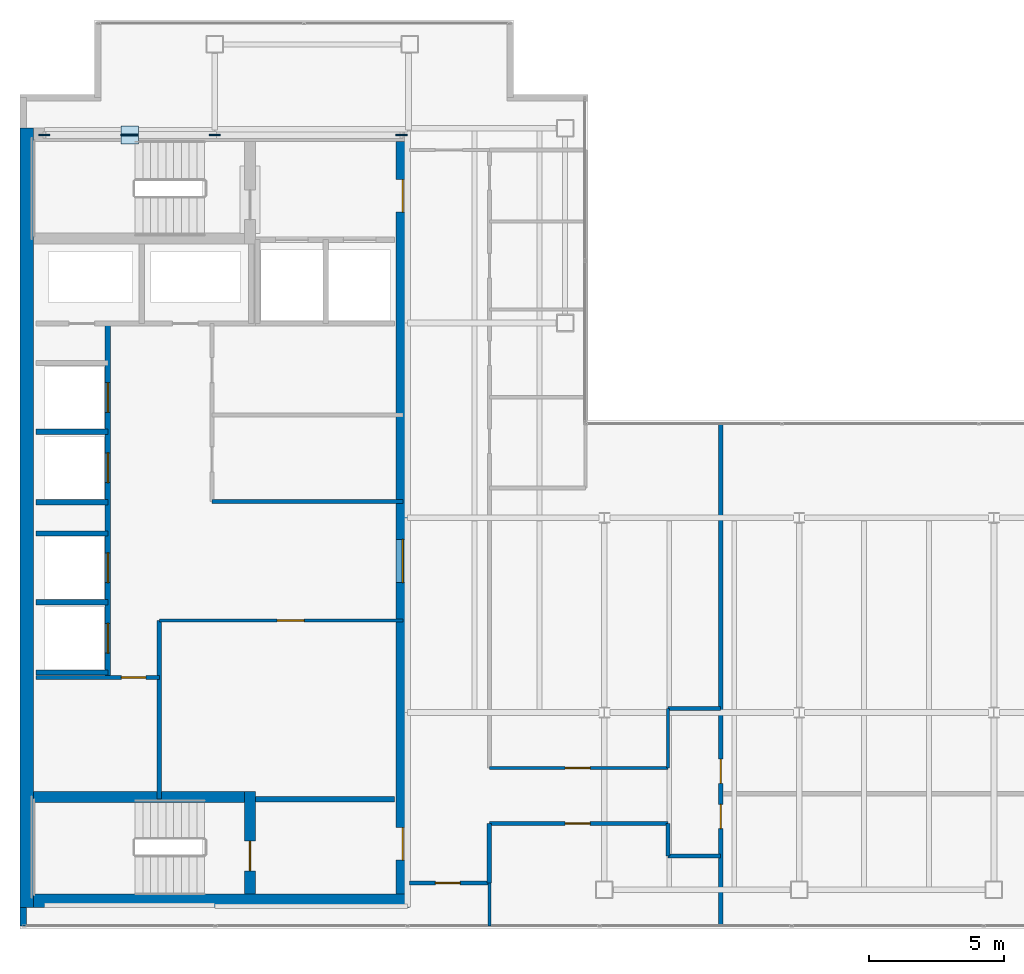
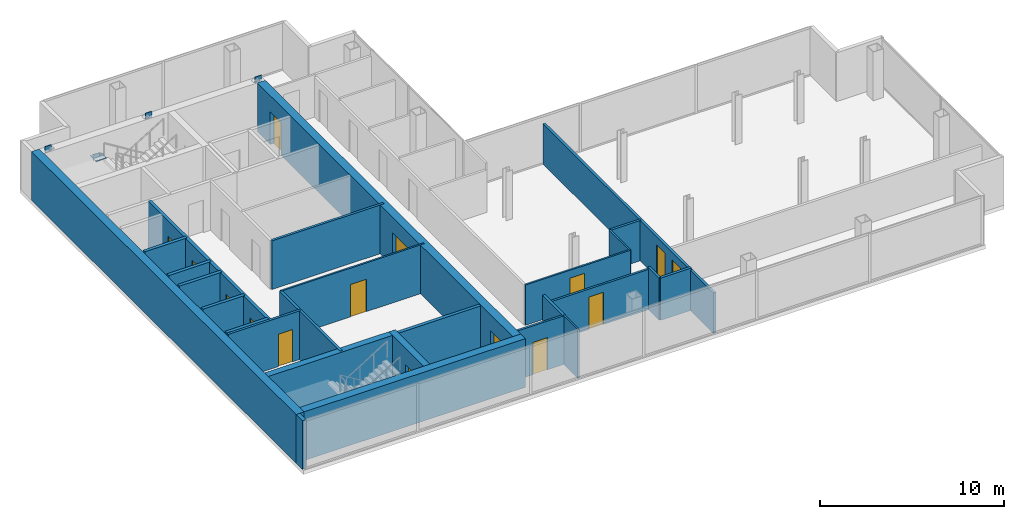
# One storey, part 21 of 24: 27 walls, 15 doors, 6 plates, 15 openings.
"""IFC4 building model written with IfcOpenShell, lengths in metres."""

from ifc_helpers import new_model, si_unit, direction, frame, frame_2d, origin, origin_2d, place, context, subcontext, project, spatial, rectangle, extrude, material, layer, layer_set, type_object, element, fill, save


model = new_model("IFC4")

# Units and contexts
model_context = context("Model", 3, precision=1e-05, world=origin(), true_north=direction((0.0, 1.0)))
body_context = subcontext(model_context, "Body", "Model", "MODEL_VIEW")
ifc_project = project(units=[si_unit("LENGTHUNIT", "METRE"), si_unit("AREAUNIT", "SQUARE_METRE"), si_unit("VOLUMEUNIT", "CUBIC_METRE"), si_unit("PLANEANGLEUNIT", "RADIAN"), si_unit("MASSUNIT", "GRAM", prefix="KILO")], contexts=[model_context])

# Site, building, storey
site_placement = place(None, origin())
site = spatial("IfcSite", under=ifc_project, at=site_placement, CompositionType="ELEMENT")
building_placement = place(site_placement, origin())
building = spatial("IfcBuilding", under=site, at=building_placement, Name="Cobrela Telecom Tower", CompositionType="ELEMENT")
storey_placement = place(building_placement, frame((0.0, 0.0, 244.64990234375)))
storey = spatial("IfcBuildingStorey", under=building, at=storey_placement, Name="L63", CompositionType="ELEMENT", Elevation=244.64990234375)

# Plates
ifc_material_1 = material(Name="Steel ASTM A572 Grade 50", Category="steel")
ifc_layer_1 = layer(ifc_material_1, 0.0419921875)
ifc_layer_set_1 = layer_set([ifc_layer_1], Name="Steel ASTM A572 Grade 50")
plate_type = type_object("IfcPlateType", Name="PLT-NODE-ND1", PredefinedType="USERDEFINED", material=ifc_layer_set_1)
for number, where, z_axis, x_axis, name in (
    (1, (7.199951171875, 35.75, 3.0751953125), (0.0, 0.0, 1.0), (1.0, 0.0, 0.0), "Steel node plate PLT-MBR-EXO-L63-N1-A-1"),
    (2, (4.173828125, 35.75, 1.349609375), (0.0, 0.0, 1.0), (-1.0, 0.0, 0.0), "Steel node plate PLT-MBR-EXO-L63-N1-B1-1"),
    (3, (3.926025390625, 35.75, 1.48046875), (0.0, 0.0, 1.0), (-1.0, 0.0, 0.0), "Steel node plate PLT-MBR-EXO-L63-N1-B2-0"),
    (4, (0.89990234375, 35.75, 3.0751953125), (0.0, 0.0, 1.0), (-1.0, 0.0, 0.0), "Steel node plate PLT-MBR-EXO-L63-N1-B2-1"),
):
    element("IfcPlate", number, at=place(storey_placement, frame(where, z_axis=z_axis, x_axis=x_axis)), inside=storey, type_object=plate_type, Name=name, ObjectType="GUSSET PLATE", PredefinedType="USERDEFINED", context=body_context, shape_type="SweptSolid", body=[
        extrude(rectangle(XDim=0.409912109375, YDim=0.044921875, at=origin_2d()), origin(), (0.0, 0.0, 1.0), 0.409912109375),
    ])
plate_1_placement = place(storey_placement, frame((4.050048828125, 35.75, 1.59765625), z_axis=(0.0, 0.0, 1.0), x_axis=(1.0, 0.0, 0.0)))
element("IfcPlate", 5, at=plate_1_placement, inside=storey, type_object=plate_type, Name="L63 Core Flange Steel X-Brace Central X-Crossing Gusset Plate", ObjectType="GUSSET PLATE", PredefinedType="USERDEFINED", context=body_context, shape_type="SweptSolid", body=[
    extrude(rectangle(XDim=0.64990234375, YDim=0.64990234375, at=origin_2d()), origin(), (0.0, 0.0, 1.0), 0.044921875),
])
plate_2_placement = place(storey_placement, frame((14.10009765625, 35.75, 3.0751953125), z_axis=(0.0, 0.0, 1.0), x_axis=(1.0, 0.0, 0.0)))
element("IfcPlate", 6, at=plate_2_placement, inside=storey, type_object=plate_type, Name="Steel node plate PLT-MBR-EXO-L63-N2-1", ObjectType="GUSSET PLATE", PredefinedType="USERDEFINED", context=body_context, shape_type="SweptSolid", body=[
    extrude(rectangle(XDim=0.409912109375, YDim=0.044921875, at=origin_2d()), origin(), (0.0, 0.0, 1.0), 0.409912109375),
])

# Walls
ifc_material_2 = material(Name="Concrete C40/50", Category="concrete")
ifc_layer_2 = layer(ifc_material_2, 0.5)
ifc_layer_set_2 = layer_set([ifc_layer_2], Name="Concrete C40/50")
wall_type_1 = type_object("IfcWallType", Name="WALL-CORE-C40-500", PredefinedType="SHEAR", material=ifc_layer_set_2)
wall_1_placement = place(storey_placement, frame((0.25, 7.199951171875, 0.0), z_axis=(0.0, 0.0, 1.0), x_axis=(0.0, 1.0, 0.0)))
element("IfcWall", 7, at=wall_1_placement, inside=storey, type_object=wall_type_1, Name="L63 West Core Shear Wall", PredefinedType="SHEAR", context=body_context, shape_type="SweptSolid", body=[
    extrude(rectangle(XDim=28.800048828125, YDim=0.5, at=frame_2d((14.39990234375, 0.0))), origin(), (0.0, 0.0, 1.0), 3.239990234375),
])
wall_2_placement = place(storey_placement, frame((0.5, 7.449951171875, 0.0), z_axis=(0.0, 0.0, 1.0), x_axis=(1.0, 0.0, 0.0)))
element("IfcWall", 8, at=wall_2_placement, inside=storey, type_object=wall_type_1, Name="L63 South Core Shear Wall", PredefinedType="SHEAR", context=body_context, shape_type="SweptSolid", body=[
    extrude(rectangle(XDim=13.89990234375, YDim=0.5, at=frame_2d((6.949951171875, 0.0))), origin(), (0.0, 0.0, 1.0), 3.239990234375),
])

# Wall, openings, doors
wall_3_placement = place(storey_placement, frame((14.14990234375, 35.5, 0.0), z_axis=(0.0, 0.0, 1.0), x_axis=(0.0, -1.0, 0.0)))
wall_3 = element("IfcWall", 9, at=wall_3_placement, inside=storey, type_object=wall_type_1, Name="L63 East Core Shear Wall", PredefinedType="SHEAR", context=body_context, shape_type="SweptSolid", body=[
    extrude(rectangle(XDim=27.800048828125, YDim=0.5, at=frame_2d((13.89990234375, 0.0))), origin(), (0.0, 0.0, 1.0), 3.239990234375),
])
opening_1_placement = place(wall_3_placement, frame((1.39990234375, 0.0, 0.0)))
opening_1 = element("IfcOpeningElement", 10, at=opening_1_placement, cuts=wall_3, Name="Opening DR-19", PredefinedType="OPENING", context=body_context, shape_type="SweptSolid", body=[
    extrude(rectangle(XDim=1.199951171875, YDim=2.14990234375, at=frame_2d((0.60009765625, 1.074951171875))), frame((0.0, 0.261962890625, 0.0), z_axis=(0.0, -1.0, 0.0), x_axis=(1.0, 0.0, 0.0)), (0.0, 0.0, 1.0), 0.52392578125),
])
opening_2_placement = place(wall_3_placement, frame((25.35009765625, 0.0, 0.0)))
opening_2 = element("IfcOpeningElement", 11, at=opening_2_placement, cuts=wall_3, Name="Opening DR-19", PredefinedType="OPENING", context=body_context, shape_type="SweptSolid", body=[
    extrude(rectangle(XDim=1.199951171875, YDim=2.14990234375, at=frame_2d((0.60009765625, 1.074951171875))), frame((0.0, 0.261962890625, 0.0), z_axis=(0.0, -1.0, 0.0), x_axis=(1.0, 0.0, 0.0)), (0.0, 0.0, 1.0), 0.52392578125),
])
opening_3_placement = place(wall_3_placement, frame((14.699951171875, 0.0, 0.0)))
opening_3 = element("IfcOpeningElement", 12, at=opening_3_placement, cuts=wall_3, Name="Opening DR-51", PredefinedType="OPENING", context=body_context, shape_type="SweptSolid", body=[
    extrude(rectangle(XDim=1.60009765625, YDim=2.199951171875, at=frame_2d((0.800048828125, 1.10009765625))), frame((0.0, 0.261962890625, 0.0), z_axis=(0.0, -1.0, 0.0), x_axis=(1.0, 0.0, 0.0)), (0.0, 0.0, 1.0), 0.52392578125),
])
ifc_material_3 = material(Name="Steel ASTM A36", Category="steel")
door_type_1 = type_object("IfcDoorType", Name="DOOR-FD60-1200", OperationType="SINGLE_SWING_LEFT", PredefinedType="DOOR", material=ifc_material_3)
door_1_placement = place(opening_1_placement, origin())
door_1 = element("IfcDoor", 13, at=door_1_placement, inside=storey, type_object=door_type_1, Name="L63 Door DR-19", OperationType="SINGLE_SWING_LEFT", OverallHeight=2.14990234375, OverallWidth=1.199951171875, PredefinedType="DOOR", context=body_context, shape_type="SweptSolid", body=[
    extrude(rectangle(XDim=1.199951171875, YDim=2.14990234375, at=frame_2d((0.60009765625, 1.074951171875))), frame((0.0, 0.02490234375, 0.0), z_axis=(0.0, -1.0, 0.0), x_axis=(1.0, 0.0, 0.0)), (0.0, 0.0, 1.0), 0.050048828125),
])
fill(opening_1, door_1)
door_2_placement = place(opening_2_placement, origin())
door_2 = element("IfcDoor", 14, at=door_2_placement, inside=storey, type_object=door_type_1, Name="L63 Door DR-19", OperationType="SINGLE_SWING_RIGHT", OverallHeight=2.14990234375, OverallWidth=1.199951171875, PredefinedType="DOOR", context=body_context, shape_type="SweptSolid", body=[
    extrude(rectangle(XDim=1.199951171875, YDim=2.14990234375, at=frame_2d((0.60009765625, 1.074951171875))), frame((0.0, 0.02490234375, 0.0), z_axis=(0.0, -1.0, 0.0), x_axis=(1.0, 0.0, 0.0)), (0.0, 0.0, 1.0), 0.050048828125),
])
fill(opening_2, door_2)
door_type_2 = type_object("IfcDoorType", Name="DOOR-FD60-1600", OperationType="SINGLE_SWING_LEFT", PredefinedType="DOOR", material=ifc_material_3)
door_3_placement = place(opening_3_placement, origin())
door_3 = element("IfcDoor", 15, at=door_3_placement, inside=storey, type_object=door_type_2, Name="L63 Door DR-51", OperationType="DOUBLE_DOOR_SINGLE_SWING", OverallHeight=2.199951171875, OverallWidth=1.60009765625, PredefinedType="DOOR", context=body_context, shape_type="SweptSolid", body=[
    extrude(rectangle(XDim=1.60009765625, YDim=2.199951171875, at=frame_2d((0.800048828125, 1.10009765625))), frame((0.0, 0.02490234375, 0.0), z_axis=(0.0, -1.0, 0.0), x_axis=(1.0, 0.0, 0.0)), (0.0, 0.0, 1.0), 0.050048828125),
])
fill(opening_3, door_3)

# Wall
ifc_layer_3 = layer(ifc_material_2, 0.239990234375)
ifc_layer_set_3 = layer_set([ifc_layer_3], Name="Concrete C40/50")
wall_type_2 = type_object("IfcWallType", Name="WALL-EXT-300", PredefinedType="STANDARD", material=ifc_layer_set_3)
wall_4_placement = place(storey_placement, frame((0.1201171875, 6.52001953125, 0.0), z_axis=(0.0, 0.0, 1.0), x_axis=(0.0, 1.0, 0.0)))
element("IfcWall", 16, at=wall_4_placement, inside=storey, type_object=wall_type_2, Name="L63 Insulated Facade Wall 01", PredefinedType="STANDARD", context=body_context, shape_type="SweptSolid", body=[
    extrude(rectangle(XDim=0.679931640625, YDim=0.239990234375, at=frame_2d((0.33984375, 0.0))), origin(), (0.0, 0.0, 1.0), 3.239990234375),
])

# Wall, opening, door
ifc_material_4 = material(Name="Fire-Rated Gypsum Plasterboard")
ifc_layer_4 = layer(ifc_material_4, 0.110107421875)
ifc_layer_set_4 = layer_set([ifc_layer_4], Name="Fire-Rated Gypsum Plasterboard")
wall_type_3 = type_object("IfcWallType", Name="WALL-PART-110", PredefinedType="PARTITIONING", material=ifc_layer_set_4)
wall_5_placement = place(storey_placement, frame((5.14990234375, 17.800048828125, 0.0), z_axis=(0.0, 0.0, 1.0), x_axis=(1.0, 0.0, 0.0)))
wall_5 = element("IfcWall", 17, at=wall_5_placement, inside=storey, type_object=wall_type_3, Name="L63 Interior Partition CW-RECM-N", PredefinedType="PARTITIONING", context=body_context, shape_type="SweptSolid", body=[
    extrude(rectangle(XDim=9.0, YDim=0.110107421875, at=frame_2d((4.5, 0.0))), origin(), (0.0, 0.0, 1.0), 3.239990234375),
])
opening_4_placement = place(wall_5_placement, frame((4.35009765625, 0.0, 0.0)))
opening_4 = element("IfcOpeningElement", 18, at=opening_4_placement, cuts=wall_5, Name="Opening DR-31", PredefinedType="OPENING", context=body_context, shape_type="SweptSolid", body=[
    extrude(rectangle(XDim=1.0, YDim=2.14990234375, at=frame_2d((0.5, 1.074951171875))), frame((0.0, 0.06689453125, 0.0), z_axis=(0.0, -1.0, 0.0), x_axis=(1.0, 0.0, 0.0)), (0.0, 0.0, 1.0), 0.134033203125),
])
ifc_material_5 = material(Name="Solid Engineered Oak Timber", Category="wood")
door_type_3 = type_object("IfcDoorType", Name="DOOR-INT-1000", OperationType="SINGLE_SWING_LEFT", PredefinedType="DOOR", material=ifc_material_5)
door_4_placement = place(opening_4_placement, origin())
door_4 = element("IfcDoor", 19, at=door_4_placement, inside=storey, type_object=door_type_3, Name="L63 Door DR-31", OperationType="SINGLE_SWING_LEFT", OverallHeight=2.14990234375, OverallWidth=1.0, PredefinedType="DOOR", context=body_context, shape_type="SweptSolid", body=[
    extrude(rectangle(XDim=1.0, YDim=2.14990234375, at=frame_2d((0.5, 1.074951171875))), frame((0.0, 0.02490234375, 0.0), z_axis=(0.0, -1.0, 0.0), x_axis=(1.0, 0.0, 0.0)), (0.0, 0.0, 1.0), 0.050048828125),
])
fill(opening_4, door_4)

wall_6_placement = place(storey_placement, frame((17.35009765625, 12.35009765625, 0.0), z_axis=(0.0, 0.0, 1.0), x_axis=(1.0, 0.0, 0.0)))
wall_6 = element("IfcWall", 20, at=wall_6_placement, inside=storey, type_object=wall_type_3, Name="L63 Interior Partition W-C-HN", PredefinedType="PARTITIONING", context=body_context, shape_type="SweptSolid", body=[
    extrude(rectangle(XDim=6.599853515625, YDim=0.110107421875, at=frame_2d((3.2998046875, 0.0))), origin(), (0.0, 0.0, 1.0), 2.676025390625),
])
opening_5_placement = place(wall_6_placement, frame((2.800048828125, 0.0, 0.0)))
opening_5 = element("IfcOpeningElement", 21, at=opening_5_placement, cuts=wall_6, Name="Opening DR-45", PredefinedType="OPENING", context=body_context, shape_type="SweptSolid", body=[
    extrude(rectangle(XDim=0.919921875, YDim=2.14990234375, at=frame_2d((0.4599609375, 1.074951171875))), frame((0.0, 0.06689453125, 0.0), z_axis=(0.0, -1.0, 0.0), x_axis=(1.0, 0.0, 0.0)), (0.0, 0.0, 1.0), 0.134033203125),
])
door_type_4 = type_object("IfcDoorType", Name="DOOR-INT-920", OperationType="SINGLE_SWING_LEFT", PredefinedType="DOOR", material=ifc_material_5)
door_5_placement = place(opening_5_placement, origin())
door_5 = element("IfcDoor", 22, at=door_5_placement, inside=storey, type_object=door_type_4, Name="L63 Door DR-45", OperationType="SINGLE_SWING_LEFT", OverallHeight=2.14990234375, OverallWidth=0.919921875, PredefinedType="DOOR", context=body_context, shape_type="SweptSolid", body=[
    extrude(rectangle(XDim=0.919921875, YDim=2.14990234375, at=frame_2d((0.4599609375, 1.074951171875))), frame((0.0, 0.02490234375, 0.0), z_axis=(0.0, -1.0, 0.0), x_axis=(1.0, 0.0, 0.0)), (0.0, 0.0, 1.0), 0.050048828125),
])
fill(opening_5, door_5)

# Walls
wall_7_placement = place(storey_placement, frame((23.949951171875, 12.35009765625, 0.0), z_axis=(0.0, 0.0, 1.0), x_axis=(0.0, 1.0, 0.0)))
element("IfcWall", 23, at=wall_7_placement, inside=storey, type_object=wall_type_3, Name="L63 Interior Partition W-CT-JW2", PredefinedType="PARTITIONING", context=body_context, shape_type="SweptSolid", body=[
    extrude(rectangle(XDim=2.199951171875, YDim=0.110107421875, at=frame_2d((1.10009765625, 0.0))), origin(), (0.0, 0.0, 1.0), 2.676025390625),
])
wall_8_placement = place(storey_placement, frame((17.35009765625, 6.52001953125, 0.0), z_axis=(0.0, 0.0, 1.0), x_axis=(0.0, 1.0, 0.0)))
element("IfcWall", 24, at=wall_8_placement, inside=storey, type_object=wall_type_3, Name="L63 Interior Partition W-SW-E", PredefinedType="PARTITIONING", context=body_context, shape_type="SweptSolid", body=[
    extrude(rectangle(XDim=1.580078125, YDim=0.110107421875, at=frame_2d((0.7900390625, 0.0))), origin(), (0.0, 0.0, 1.0), 3.239990234375),
])

# Wall, opening, door
ifc_layer_5 = layer(ifc_material_4, 0.135009765625)
ifc_layer_set_5 = layer_set([ifc_layer_5], Name="Fire-Rated Gypsum Plasterboard")
wall_type_4 = type_object("IfcWallType", Name="WALL-PART-135", PredefinedType="PARTITIONING", material=ifc_layer_set_5)
wall_9_placement = place(storey_placement, frame((14.39990234375, 8.10009765625, 0.0), z_axis=(0.0, 0.0, 1.0), x_axis=(1.0, 0.0, 0.0)))
wall_9 = element("IfcWall", 25, at=wall_9_placement, inside=storey, type_object=wall_type_4, Name="L63 Interior Partition W-C-S0", PredefinedType="PARTITIONING", context=body_context, shape_type="SweptSolid", body=[
    extrude(rectangle(XDim=2.9501953125, YDim=0.135009765625, at=frame_2d((1.47509765625, 0.0))), origin(), (0.0, 0.0, 1.0), 3.239990234375),
])
opening_6_placement = place(wall_9_placement, frame((0.949951171875, 0.0, 0.0)))
opening_6 = element("IfcOpeningElement", 26, at=opening_6_placement, cuts=wall_9, Name="Opening DR-45", PredefinedType="OPENING", context=body_context, shape_type="SweptSolid", body=[
    extrude(rectangle(XDim=0.919921875, YDim=2.14990234375, at=frame_2d((0.4599609375, 1.074951171875))), frame((0.0, 0.07958984375, 0.0), z_axis=(0.0, -1.0, 0.0), x_axis=(1.0, 0.0, 0.0)), (0.0, 0.0, 1.0), 0.158935546875),
])
door_6_placement = place(opening_6_placement, origin())
door_6 = element("IfcDoor", 27, at=door_6_placement, inside=storey, type_object=door_type_4, Name="L63 Door DR-45", OperationType="SINGLE_SWING_RIGHT", OverallHeight=2.14990234375, OverallWidth=0.919921875, PredefinedType="DOOR", context=body_context, shape_type="SweptSolid", body=[
    extrude(rectangle(XDim=0.919921875, YDim=2.14990234375, at=frame_2d((0.4599609375, 1.074951171875))), frame((0.0, 0.02490234375, 0.0), z_axis=(0.0, -1.0, 0.0), x_axis=(1.0, 0.0, 0.0)), (0.0, 0.0, 1.0), 0.050048828125),
])
fill(opening_6, door_6)

wall_10_placement = place(storey_placement, frame((17.35009765625, 10.300048828125, 0.0), z_axis=(0.0, 0.0, 1.0), x_axis=(1.0, 0.0, 0.0)))
wall_10 = element("IfcWall", 28, at=wall_10_placement, inside=storey, type_object=wall_type_4, Name="L63 Interior Partition W-C-HS", PredefinedType="PARTITIONING", context=body_context, shape_type="SweptSolid", body=[
    extrude(rectangle(XDim=6.599853515625, YDim=0.135009765625, at=frame_2d((3.2998046875, 0.0))), origin(), (0.0, 0.0, 1.0), 2.676025390625),
])
opening_7_placement = place(wall_10_placement, frame((2.800048828125, 0.0, 0.0)))
opening_7 = element("IfcOpeningElement", 29, at=opening_7_placement, cuts=wall_10, Name="Opening DR-45", PredefinedType="OPENING", context=body_context, shape_type="SweptSolid", body=[
    extrude(rectangle(XDim=0.919921875, YDim=2.14990234375, at=frame_2d((0.4599609375, 1.074951171875))), frame((0.0, 0.07958984375, 0.0), z_axis=(0.0, -1.0, 0.0), x_axis=(1.0, 0.0, 0.0)), (0.0, 0.0, 1.0), 0.158935546875),
])
door_7_placement = place(opening_7_placement, origin())
door_7 = element("IfcDoor", 30, at=door_7_placement, inside=storey, type_object=door_type_4, Name="L63 Door DR-45", OperationType="SINGLE_SWING_LEFT", OverallHeight=2.14990234375, OverallWidth=0.919921875, PredefinedType="DOOR", context=body_context, shape_type="SweptSolid", body=[
    extrude(rectangle(XDim=0.919921875, YDim=2.14990234375, at=frame_2d((0.4599609375, 1.074951171875))), frame((0.0, 0.02490234375, 0.0), z_axis=(0.0, -1.0, 0.0), x_axis=(1.0, 0.0, 0.0)), (0.0, 0.0, 1.0), 0.050048828125),
])
fill(opening_7, door_7)

# Walls
wall_11_placement = place(storey_placement, frame((23.949951171875, 9.10009765625, 0.0), z_axis=(0.0, 0.0, 1.0), x_axis=(0.0, 1.0, 0.0)))
element("IfcWall", 31, at=wall_11_placement, inside=storey, type_object=wall_type_4, Name="L63 Interior Partition W-CT-JW1", PredefinedType="PARTITIONING", context=body_context, shape_type="SweptSolid", body=[
    extrude(rectangle(XDim=1.199951171875, YDim=0.135009765625, at=frame_2d((0.60009765625, 0.0))), origin(), (0.0, 0.0, 1.0), 2.80810546875),
])
ifc_layer_6 = layer(ifc_material_4, 0.14990234375)
ifc_layer_set_6 = layer_set([ifc_layer_6], Name="Fire-Rated Gypsum Plasterboard")
wall_type_5 = type_object("IfcWallType", Name="WALL-PART-150", PredefinedType="PARTITIONING", material=ifc_layer_set_6)
wall_12_placement = place(storey_placement, frame((7.10009765625, 22.199951171875, 0.0), z_axis=(0.0, 0.0, 1.0), x_axis=(1.0, 0.0, 0.0)))
element("IfcWall", 32, at=wall_12_placement, inside=storey, type_object=wall_type_5, Name="L63 Interior Partition CW-RECL-S", PredefinedType="PARTITIONING", context=body_context, shape_type="SweptSolid", body=[
    extrude(rectangle(XDim=7.0498046875, YDim=0.14990234375, at=frame_2d((3.52490234375, 0.0))), origin(), (0.0, 0.0, 1.0), 3.239990234375),
])

# Wall, opening, door
wall_13_placement = place(storey_placement, frame((0.60009765625, 15.699951171875, 0.0), z_axis=(0.0, 0.0, 1.0), x_axis=(1.0, 0.0, 0.0)))
wall_13 = element("IfcWall", 33, at=wall_13_placement, inside=storey, type_object=wall_type_5, Name="L63 Interior Partition CW-FLEX-N", PredefinedType="PARTITIONING", context=body_context, shape_type="SweptSolid", body=[
    extrude(rectangle(XDim=4.5498046875, YDim=0.14990234375, at=frame_2d((2.27490234375, 0.0))), origin(), (0.0, 0.0, 1.0), 3.239990234375),
])
opening_8_placement = place(wall_13_placement, frame((3.14990234375, 0.0, 0.0)))
opening_8 = element("IfcOpeningElement", 34, at=opening_8_placement, cuts=wall_13, Name="Opening DR-41", PredefinedType="OPENING", context=body_context, shape_type="SweptSolid", body=[
    extrude(rectangle(XDim=0.89990234375, YDim=2.14990234375, at=frame_2d((0.449951171875, 1.074951171875))), frame((0.0, 0.0869140625, 0.0), z_axis=(0.0, -1.0, 0.0), x_axis=(1.0, 0.0, 0.0)), (0.0, 0.0, 1.0), 0.173828125),
])
door_type_5 = type_object("IfcDoorType", Name="DOOR-INT-900", OperationType="SINGLE_SWING_LEFT", PredefinedType="DOOR", material=ifc_material_5)
door_8_placement = place(opening_8_placement, origin())
door_8 = element("IfcDoor", 35, at=door_8_placement, inside=storey, type_object=door_type_5, Name="L63 Door DR-41", OperationType="SINGLE_SWING_LEFT", OverallHeight=2.14990234375, OverallWidth=0.89990234375, PredefinedType="DOOR", context=body_context, shape_type="SweptSolid", body=[
    extrude(rectangle(XDim=0.89990234375, YDim=2.14990234375, at=frame_2d((0.449951171875, 1.074951171875))), frame((0.0, 0.02490234375, 0.0), z_axis=(0.0, -1.0, 0.0), x_axis=(1.0, 0.0, 0.0)), (0.0, 0.0, 1.0), 0.050048828125),
])
fill(opening_8, door_8)

# Walls
wall_14_placement = place(storey_placement, frame((23.949951171875, 14.550048828125, 0.0), z_axis=(0.0, 0.0, 1.0), x_axis=(1.0, 0.0, 0.0)))
element("IfcWall", 36, at=wall_14_placement, inside=storey, type_object=wall_type_5, Name="L63 Interior Partition W-CT-N", PredefinedType="PARTITIONING", context=body_context, shape_type="SweptSolid", body=[
    extrude(rectangle(XDim=1.949951171875, YDim=0.14990234375, at=frame_2d((0.97509765625, 0.0))), origin(), (0.0, 0.0, 1.0), 2.676025390625),
])
ifc_layer_7 = layer(ifc_material_4, 0.159912109375)
ifc_layer_set_7 = layer_set([ifc_layer_7], Name="Fire-Rated Gypsum Plasterboard")
wall_type_6 = type_object("IfcWallType", Name="WALL-PART-160", PredefinedType="PARTITIONING", material=ifc_layer_set_7)
wall_15_placement = place(storey_placement, frame((5.14990234375, 11.199951171875, 0.0), z_axis=(0.0, 0.0, 1.0), x_axis=(0.0, 1.0, 0.0)))
element("IfcWall", 37, at=wall_15_placement, inside=storey, type_object=wall_type_6, Name="L63 Interior Partition CW-RECM-W", PredefinedType="PARTITIONING", context=body_context, shape_type="SweptSolid", body=[
    extrude(rectangle(XDim=6.60009765625, YDim=0.159912109375, at=frame_2d((3.300048828125, 0.0))), origin(), (0.0, 0.0, 1.0), 3.239990234375),
])
wall_16_placement = place(storey_placement, frame((17.35009765625, 8.10009765625, 0.0), z_axis=(0.0, 0.0, 1.0), x_axis=(0.0, 1.0, 0.0)))
element("IfcWall", 38, at=wall_16_placement, inside=storey, type_object=wall_type_6, Name="L63 Interior Partition W-C-E1", PredefinedType="PARTITIONING", context=body_context, shape_type="SweptSolid", body=[
    extrude(rectangle(XDim=2.199951171875, YDim=0.159912109375, at=frame_2d((1.10009765625, 0.0))), origin(), (0.0, 0.0, 1.0), 3.239990234375),
])
wall_17_placement = place(storey_placement, frame((23.949951171875, 9.10009765625, 0.0), z_axis=(0.0, 0.0, 1.0), x_axis=(1.0, 0.0, 0.0)))
element("IfcWall", 39, at=wall_17_placement, inside=storey, type_object=wall_type_6, Name="L63 Interior Partition W-CT-S", PredefinedType="PARTITIONING", context=body_context, shape_type="SweptSolid", body=[
    extrude(rectangle(XDim=1.949951171875, YDim=0.159912109375, at=frame_2d((0.97509765625, 0.0))), origin(), (0.0, 0.0, 1.0), 2.80810546875),
])

# Wall, openings, doors
wall_18_placement = place(storey_placement, frame((25.89990234375, 6.52001953125, 0.0), z_axis=(0.0, 0.0, 1.0), x_axis=(0.0, 1.0, 0.0)))
wall_18 = element("IfcWall", 40, at=wall_18_placement, inside=storey, type_object=wall_type_6, Name="L63 Interior Partition W-C-END", PredefinedType="PARTITIONING", context=body_context, shape_type="SweptSolid", body=[
    extrude(rectangle(XDim=18.56005859375, YDim=0.159912109375, at=frame_2d((9.280029296875, 0.0))), origin(), (0.0, 0.0, 1.0), 2.676025390625),
])
opening_9_placement = place(wall_18_placement, frame((3.590087890625, 0.0, 0.0)))
opening_9 = element("IfcOpeningElement", 41, at=opening_9_placement, cuts=wall_18, Name="Opening DR-41", PredefinedType="OPENING", context=body_context, shape_type="SweptSolid", body=[
    extrude(rectangle(XDim=0.89990234375, YDim=2.14990234375, at=frame_2d((0.449951171875, 1.074951171875))), frame((0.0, 0.091796875, 0.0), z_axis=(0.0, -1.0, 0.0), x_axis=(1.0, 0.0, 0.0)), (0.0, 0.0, 1.0), 0.183837890625),
])
opening_10_placement = place(wall_18_placement, frame((5.260009765625, 0.0, 0.0)))
opening_10 = element("IfcOpeningElement", 42, at=opening_10_placement, cuts=wall_18, Name="Opening DR-41", PredefinedType="OPENING", context=body_context, shape_type="SweptSolid", body=[
    extrude(rectangle(XDim=0.89990234375, YDim=2.14990234375, at=frame_2d((0.449951171875, 1.074951171875))), frame((0.0, 0.091796875, 0.0), z_axis=(0.0, -1.0, 0.0), x_axis=(1.0, 0.0, 0.0)), (0.0, 0.0, 1.0), 0.183837890625),
])
door_9_placement = place(opening_9_placement, origin())
door_9 = element("IfcDoor", 43, at=door_9_placement, inside=storey, type_object=door_type_5, Name="L63 Door DR-41", OperationType="SINGLE_SWING_LEFT", OverallHeight=2.14990234375, OverallWidth=0.89990234375, PredefinedType="DOOR", context=body_context, shape_type="SweptSolid", body=[
    extrude(rectangle(XDim=0.89990234375, YDim=2.14990234375, at=frame_2d((0.449951171875, 1.074951171875))), frame((0.0, 0.02490234375, 0.0), z_axis=(0.0, -1.0, 0.0), x_axis=(1.0, 0.0, 0.0)), (0.0, 0.0, 1.0), 0.050048828125),
])
fill(opening_9, door_9)
door_10_placement = place(opening_10_placement, origin())
door_10 = element("IfcDoor", 44, at=door_10_placement, inside=storey, type_object=door_type_5, Name="L63 Door DR-41", OperationType="SINGLE_SWING_RIGHT", OverallHeight=2.14990234375, OverallWidth=0.89990234375, PredefinedType="DOOR", context=body_context, shape_type="SweptSolid", body=[
    extrude(rectangle(XDim=0.89990234375, YDim=2.14990234375, at=frame_2d((0.449951171875, 1.074951171875))), frame((0.0, 0.02490234375, 0.0), z_axis=(0.0, -1.0, 0.0), x_axis=(1.0, 0.0, 0.0)), (0.0, 0.0, 1.0), 0.050048828125),
])
fill(opening_10, door_10)

# Wall
ifc_layer_8 = layer(ifc_material_4, 0.199951171875)
ifc_layer_set_8 = layer_set([ifc_layer_8], Name="Fire-Rated Gypsum Plasterboard")
wall_type_7 = type_object("IfcWallType", Name="WALL-SHAFT-200", PredefinedType="PARTITIONING", material=ifc_layer_set_8)
wall_19_placement = place(storey_placement, frame((8.699951171875, 11.199951171875, 0.0), z_axis=(0.0, 0.0, 1.0), x_axis=(1.0, 0.0, 0.0)))
element("IfcWall", 45, at=wall_19_placement, inside=storey, type_object=wall_type_7, Name="L63 Shaft Enclosure CW-ST2L-N", PredefinedType="PARTITIONING", context=body_context, shape_type="SweptSolid", body=[
    extrude(rectangle(XDim=5.150146484375, YDim=0.199951171875, at=frame_2d((2.5751953125, 0.0))), origin(), (0.0, 0.0, 1.0), 3.239990234375),
])

# Wall, openings, doors
wall_20_placement = place(storey_placement, frame((3.25, 15.699951171875, 0.0), z_axis=(0.0, 0.0, 1.0), x_axis=(0.0, 1.0, 0.0)))
wall_20 = element("IfcWall", 46, at=wall_20_placement, inside=storey, type_object=wall_type_7, Name="L63 Shaft Enclosure CW-PLH-E", PredefinedType="PARTITIONING", context=body_context, shape_type="SweptSolid", body=[
    extrude(rectangle(XDim=13.080078125, YDim=0.199951171875, at=frame_2d((6.5400390625, 0.0))), origin(), (0.0, 0.0, 1.0), 3.239990234375),
])
opening_11_placement = place(wall_20_placement, frame((0.89990234375, 0.0, 0.0)))
opening_11 = element("IfcOpeningElement", 47, at=opening_11_placement, cuts=wall_20, Name="Opening LD-1", PredefinedType="OPENING", context=body_context, shape_type="SweptSolid", body=[
    extrude(rectangle(XDim=1.10009765625, YDim=2.199951171875, at=frame_2d((0.550048828125, 1.10009765625))), frame((0.0, 0.11181640625, 0.0), z_axis=(0.0, -1.0, 0.0), x_axis=(1.0, 0.0, 0.0)), (0.0, 0.0, 1.0), 0.223876953125),
])
opening_12_placement = place(wall_20_placement, frame((3.5, 0.0, 0.0)))
opening_12 = element("IfcOpeningElement", 48, at=opening_12_placement, cuts=wall_20, Name="Opening LD-1", PredefinedType="OPENING", context=body_context, shape_type="SweptSolid", body=[
    extrude(rectangle(XDim=1.10009765625, YDim=2.199951171875, at=frame_2d((0.550048828125, 1.10009765625))), frame((0.0, 0.11181640625, 0.0), z_axis=(0.0, -1.0, 0.0), x_axis=(1.0, 0.0, 0.0)), (0.0, 0.0, 1.0), 0.223876953125),
])
opening_13_placement = place(wall_20_placement, frame((7.199951171875, 0.0, 0.0)))
opening_13 = element("IfcOpeningElement", 49, at=opening_13_placement, cuts=wall_20, Name="Opening LD-1", PredefinedType="OPENING", context=body_context, shape_type="SweptSolid", body=[
    extrude(rectangle(XDim=1.10009765625, YDim=2.199951171875, at=frame_2d((0.550048828125, 1.10009765625))), frame((0.0, 0.11181640625, 0.0), z_axis=(0.0, -1.0, 0.0), x_axis=(1.0, 0.0, 0.0)), (0.0, 0.0, 1.0), 0.223876953125),
])
opening_14_placement = place(wall_20_placement, frame((9.800048828125, 0.0, 0.0)))
opening_14 = element("IfcOpeningElement", 50, at=opening_14_placement, cuts=wall_20, Name="Opening LD-1", PredefinedType="OPENING", context=body_context, shape_type="SweptSolid", body=[
    extrude(rectangle(XDim=1.10009765625, YDim=2.199951171875, at=frame_2d((0.550048828125, 1.10009765625))), frame((0.0, 0.11181640625, 0.0), z_axis=(0.0, -1.0, 0.0), x_axis=(1.0, 0.0, 0.0)), (0.0, 0.0, 1.0), 0.223876953125),
])
door_type_6 = type_object("IfcDoorType", Name="DOOR-LD-PL", OperationType="SINGLE_SWING_LEFT", PredefinedType="DOOR", material=ifc_material_3)
door_11_placement = place(opening_11_placement, origin())
door_11 = element("IfcDoor", 51, at=door_11_placement, inside=storey, type_object=door_type_6, Name="L63 Lift Landing Door LD-1", OperationType="DOUBLE_DOOR_SLIDING", OverallHeight=2.199951171875, OverallWidth=1.10009765625, PredefinedType="DOOR", context=body_context, shape_type="SweptSolid", body=[
    extrude(rectangle(XDim=1.10009765625, YDim=2.199951171875, at=frame_2d((0.550048828125, 1.10009765625))), frame((0.0, 0.02490234375, 0.0), z_axis=(0.0, -1.0, 0.0), x_axis=(1.0, 0.0, 0.0)), (0.0, 0.0, 1.0), 0.050048828125),
])
fill(opening_11, door_11)
door_12_placement = place(opening_12_placement, origin())
door_12 = element("IfcDoor", 52, at=door_12_placement, inside=storey, type_object=door_type_6, Name="L63 Lift Landing Door LD-1", OperationType="DOUBLE_DOOR_SLIDING", OverallHeight=2.199951171875, OverallWidth=1.10009765625, PredefinedType="DOOR", context=body_context, shape_type="SweptSolid", body=[
    extrude(rectangle(XDim=1.10009765625, YDim=2.199951171875, at=frame_2d((0.550048828125, 1.10009765625))), frame((0.0, 0.02490234375, 0.0), z_axis=(0.0, -1.0, 0.0), x_axis=(1.0, 0.0, 0.0)), (0.0, 0.0, 1.0), 0.050048828125),
])
fill(opening_12, door_12)
door_13_placement = place(opening_13_placement, origin())
door_13 = element("IfcDoor", 53, at=door_13_placement, inside=storey, type_object=door_type_6, Name="L63 Lift Landing Door LD-1", OperationType="DOUBLE_DOOR_SLIDING", OverallHeight=2.199951171875, OverallWidth=1.10009765625, PredefinedType="DOOR", context=body_context, shape_type="SweptSolid", body=[
    extrude(rectangle(XDim=1.10009765625, YDim=2.199951171875, at=frame_2d((0.550048828125, 1.10009765625))), frame((0.0, 0.02490234375, 0.0), z_axis=(0.0, -1.0, 0.0), x_axis=(1.0, 0.0, 0.0)), (0.0, 0.0, 1.0), 0.050048828125),
])
fill(opening_13, door_13)
door_14_placement = place(opening_14_placement, origin())
door_14 = element("IfcDoor", 54, at=door_14_placement, inside=storey, type_object=door_type_6, Name="L63 Lift Landing Door LD-1", OperationType="DOUBLE_DOOR_SLIDING", OverallHeight=2.199951171875, OverallWidth=1.10009765625, PredefinedType="DOOR", context=body_context, shape_type="SweptSolid", body=[
    extrude(rectangle(XDim=1.10009765625, YDim=2.199951171875, at=frame_2d((0.550048828125, 1.10009765625))), frame((0.0, 0.02490234375, 0.0), z_axis=(0.0, -1.0, 0.0), x_axis=(1.0, 0.0, 0.0)), (0.0, 0.0, 1.0), 0.050048828125),
])
fill(opening_14, door_14)

# Walls
for number, where, z_axis, x_axis, name in (
    (55, (0.60009765625, 15.8798828125, 0.0), (0.0, 0.0, 1.0), (1.0, 0.0, 0.0), "L63 Shaft Enclosure CW-PLH-D9"),
    (56, (0.60009765625, 18.47998046875, 0.0), (0.0, 0.0, 1.0), (1.0, 0.0, 0.0), "L63 Shaft Enclosure CW-PLH-D10"),
    (57, (0.60009765625, 22.179931640625, 0.0), (0.0, 0.0, 1.0), (1.0, 0.0, 0.0), "L63 Shaft Enclosure CW-PLH-D11"),
    (58, (0.60009765625, 24.780029296875, 0.0), (0.0, 0.0, 1.0), (1.0, 0.0, 0.0), "L63 Shaft Enclosure CW-PLH-D12"),
    (59, (0.60009765625, 21.02001953125, 0.0), (0.0, 0.0, 1.0), (1.0, 0.0, 0.0), "L63 Shaft Enclosure CW-PLH-MID"),
):
    element("IfcWall", number, at=place(storey_placement, frame(where, z_axis=z_axis, x_axis=x_axis)), inside=storey, type_object=wall_type_7, Name=name, PredefinedType="PARTITIONING", context=body_context, shape_type="SweptSolid", body=[
        extrude(rectangle(XDim=2.64990234375, YDim=0.199951171875, at=frame_2d((1.324951171875, 0.0))), origin(), (0.0, 0.0, 1.0), 3.239990234375),
    ])
ifc_layer_9 = layer(ifc_material_2, 0.39990234375)
ifc_layer_set_9 = layer_set([ifc_layer_9], Name="Concrete C40/50")
wall_type_8 = type_object("IfcWallType", Name="WALL-SHAFT-C40-400", PredefinedType="SHEAR", material=ifc_layer_set_9)
wall_21_placement = place(storey_placement, frame((0.5, 11.280029296875, 0.0), z_axis=(0.0, 0.0, 1.0), x_axis=(1.0, 0.0, 0.0)))
element("IfcWall", 60, at=wall_21_placement, inside=storey, type_object=wall_type_8, Name="L63 South Stair Shear Wall", PredefinedType="SHEAR", context=body_context, shape_type="SweptSolid", body=[
    extrude(rectangle(XDim=7.800048828125, YDim=0.39990234375, at=frame_2d((3.89990234375, 0.0))), origin(), (0.0, 0.0, 1.0), 3.239990234375),
])

# Wall, opening, door
wall_22_placement = place(storey_placement, frame((8.5, 7.699951171875, 0.0), z_axis=(0.0, 0.0, 1.0), x_axis=(0.0, 1.0, 0.0)))
wall_22 = element("IfcWall", 61, at=wall_22_placement, inside=storey, type_object=wall_type_8, Name="L63 South Stair Lobby Shear Wall", PredefinedType="SHEAR", context=body_context, shape_type="SweptSolid", body=[
    extrude(rectangle(XDim=3.780029296875, YDim=0.39990234375, at=frame_2d((1.89013671875, 0.0))), origin(), (0.0, 0.0, 1.0), 3.239990234375),
])
opening_15_placement = place(wall_22_placement, frame((0.85009765625, 0.0, 0.0)))
opening_15 = element("IfcOpeningElement", 62, at=opening_15_placement, cuts=wall_22, Name="Opening FD-90", PredefinedType="OPENING", context=body_context, shape_type="SweptSolid", body=[
    extrude(rectangle(XDim=1.10009765625, YDim=2.14990234375, at=frame_2d((0.550048828125, 1.074951171875))), frame((0.0, 0.2119140625, 0.0), z_axis=(0.0, -1.0, 0.0), x_axis=(1.0, 0.0, 0.0)), (0.0, 0.0, 1.0), 0.423828125),
])
door_type_7 = type_object("IfcDoorType", Name="DOOR-FD90-1100", OperationType="SINGLE_SWING_LEFT", PredefinedType="DOOR", material=ifc_material_3)
door_15_placement = place(opening_15_placement, origin())
door_15 = element("IfcDoor", 63, at=door_15_placement, inside=storey, type_object=door_type_7, Name="L63 Door FD-90", OperationType="SINGLE_SWING_LEFT", OverallHeight=2.14990234375, OverallWidth=1.10009765625, PredefinedType="DOOR", context=body_context, shape_type="SweptSolid", body=[
    extrude(rectangle(XDim=1.10009765625, YDim=2.14990234375, at=frame_2d((0.550048828125, 1.074951171875))), frame((0.0, 0.02490234375, 0.0), z_axis=(0.0, -1.0, 0.0), x_axis=(1.0, 0.0, 0.0)), (0.0, 0.0, 1.0), 0.050048828125),
])
fill(opening_15, door_15)

save(model, "model.ifc")
